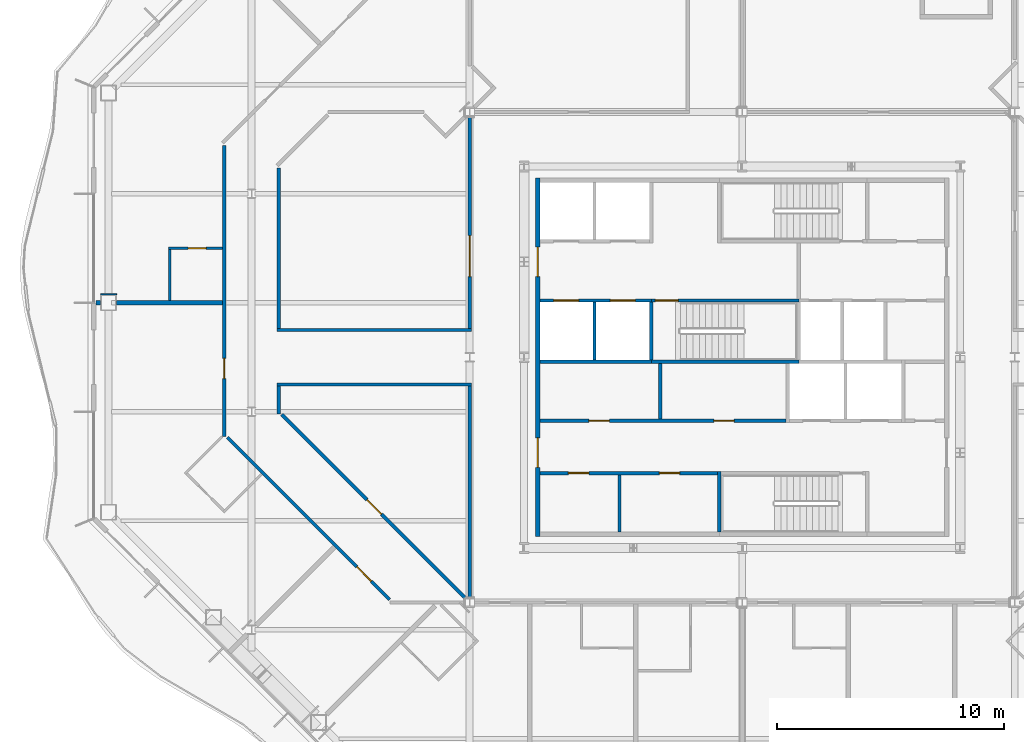
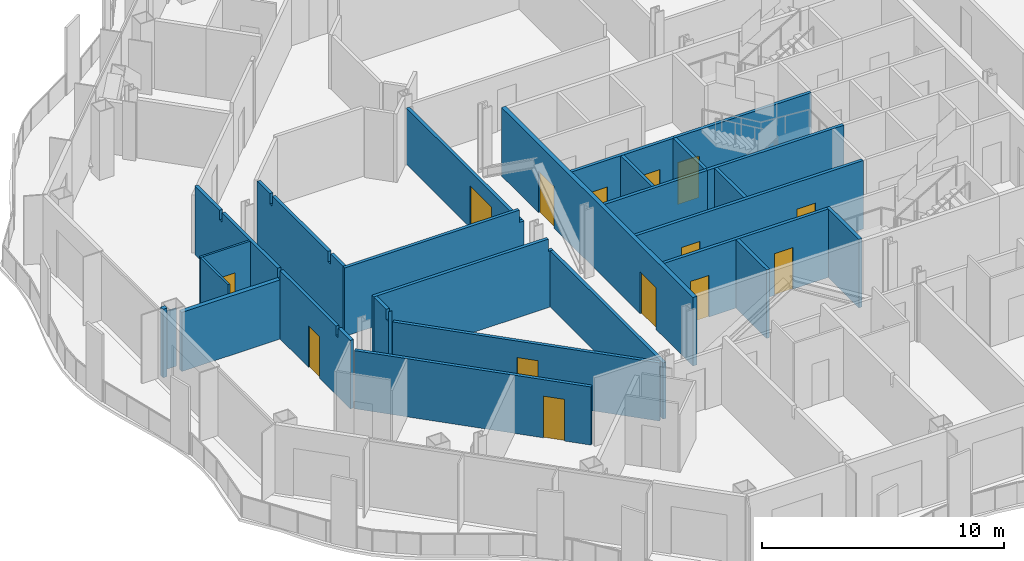
# One storey, part 8 of 21: 26 walls, 14 doors, 14 openings.
"""IFC4 building model written with IfcOpenShell, lengths in metres."""

from ifc_helpers import new_model, si_unit, direction, frame, frame_2d, origin, place, context, subcontext, project, spatial, polyline, rectangle, outline, extrude, material, layer, layer_set, type_object, element, fill, save


model = new_model("IFC4")

# Units and contexts
model_context = context("Model", 3, precision=1e-05, world=origin(), true_north=direction((0.0, 1.0)))
body_context = subcontext(model_context, "Body", "Model", "MODEL_VIEW")
ifc_project = project(units=[si_unit("LENGTHUNIT", "METRE"), si_unit("AREAUNIT", "SQUARE_METRE"), si_unit("VOLUMEUNIT", "CUBIC_METRE"), si_unit("PLANEANGLEUNIT", "RADIAN"), si_unit("MASSUNIT", "GRAM", prefix="KILO")], contexts=[model_context])

# Site, building, storey
site_placement = place(None, origin())
site = spatial("IfcSite", under=ifc_project, at=site_placement, CompositionType="ELEMENT")
building_placement = place(site_placement, origin())
building = spatial("IfcBuilding", under=site, at=building_placement, Name="Cairn Pilgrim Tower", CompositionType="ELEMENT")
storey_placement = place(building_placement, frame((0.0, 0.0, 136.199951171875)))
storey = spatial("IfcBuildingStorey", under=building, at=storey_placement, Name="L33", CompositionType="ELEMENT", Elevation=136.199951171875)

# Wall, openings, doors
ifc_material_1 = material(Name="Concrete C32/40", Category="concrete")
ifc_layer_1 = layer(ifc_material_1, 0.199951171875)
ifc_layer_set_1 = layer_set([ifc_layer_1], Name="CORE OUTER WALL 200 EI 120")
wall_type_1 = type_object("IfcWallType", Name="CORE OUTER WALL 200 EI 120", PredefinedType="SOLIDWALL", material=ifc_layer_set_1)
wall_1_placement = place(storey_placement, frame((-1.800048828125, -5.5, 0.0), z_axis=(0.0, 0.0, 1.0), x_axis=(0.0, 1.0, 0.0)))
wall_1 = element("IfcWall", 1, at=wall_1_placement, inside=storey, type_object=wall_type_1, Name="CW:L33:V13", PredefinedType="SOLIDWALL", context=body_context, shape_type="SweptSolid", body=[
    extrude(rectangle(XDim=15.800048828125, YDim=0.199951171875, at=frame_2d((7.89990234375, 0.0))), origin(), (0.0, 0.0, 1.0), 3.449951171875),
])
opening_1_placement = place(wall_1_placement, frame((3.050048828125, 0.0, 0.0)))
opening_1 = element("IfcOpeningElement", 2, at=opening_1_placement, cuts=wall_1, Name="Opening CD-W1", PredefinedType="OPENING", context=body_context, shape_type="SweptSolid", body=[
    extrude(rectangle(XDim=1.300048828125, YDim=2.10009765625, at=frame_2d((0.64990234375, 1.050048828125))), frame((0.0, 0.10986328125, 0.0), z_axis=(0.0, -1.0, 0.0), x_axis=(1.0, 0.0, 0.0)), (0.0, 0.0, 1.0), 0.219970703125),
])
opening_2_placement = place(wall_1_placement, frame((11.449951171875, 0.0, 0.0)))
opening_2 = element("IfcOpeningElement", 3, at=opening_2_placement, cuts=wall_1, Name="Opening CD-W2", PredefinedType="OPENING", context=body_context, shape_type="SweptSolid", body=[
    extrude(rectangle(XDim=1.300048828125, YDim=2.10009765625, at=frame_2d((0.64990234375, 1.050048828125))), frame((0.0, 0.10986328125, 0.0), z_axis=(0.0, -1.0, 0.0), x_axis=(1.0, 0.0, 0.0)), (0.0, 0.0, 1.0), 0.219970703125),
])
ifc_material_2 = material(Name="Painted steel", Category="steel")
door_type_1 = type_object("IfcDoorType", Name="CORE LOBBY DOOR 1300x2100", OperationType="DOUBLE_DOOR_SINGLE_SWING", PredefinedType="DOOR", material=ifc_material_2)
door_1_placement = place(opening_1_placement, origin())
door_1 = element("IfcDoor", 4, at=door_1_placement, inside=storey, type_object=door_type_1, Name="CD-W1", OperationType="DOUBLE_DOOR_SINGLE_SWING", OverallHeight=2.10009765625, OverallWidth=1.300048828125, PredefinedType="DOOR", context=body_context, shape_type="SweptSolid", body=[
    extrude(rectangle(XDim=1.300048828125, YDim=2.10009765625, at=frame_2d((0.64990234375, 1.050048828125))), frame((0.0, 0.02490234375, 0.0), z_axis=(0.0, -1.0, 0.0), x_axis=(1.0, 0.0, 0.0)), (0.0, 0.0, 1.0), 0.050048828125),
])
fill(opening_1, door_1)
door_2_placement = place(opening_2_placement, origin())
door_2 = element("IfcDoor", 5, at=door_2_placement, inside=storey, type_object=door_type_1, Name="CD-W2", OperationType="DOUBLE_DOOR_SINGLE_SWING", OverallHeight=2.10009765625, OverallWidth=1.300048828125, PredefinedType="DOOR", context=body_context, shape_type="SweptSolid", body=[
    extrude(rectangle(XDim=1.300048828125, YDim=2.10009765625, at=frame_2d((0.64990234375, 1.050048828125))), frame((0.0, 0.02490234375, 0.0), z_axis=(0.0, -1.0, 0.0), x_axis=(1.0, 0.0, 0.0)), (0.0, 0.0, 1.0), 0.050048828125),
])
fill(opening_2, door_2)

ifc_layer_2 = layer(ifc_material_1, 0.14990234375)
ifc_layer_set_2 = layer_set([ifc_layer_2], Name="CORE PARTITION 150 EI 60")
wall_type_2 = type_object("IfcWallType", Name="CORE PARTITION 150 EI 60", PredefinedType="PARTITIONING", material=ifc_layer_set_2)
wall_2_placement = place(storey_placement, frame((-1.699951171875, -2.699951171875, 0.0), z_axis=(0.0, 0.0, 1.0), x_axis=(1.0, 0.0, 0.0)))
wall_2 = element("IfcWall", 6, at=wall_2_placement, inside=storey, type_object=wall_type_2, Name="CW:L33:H02", PredefinedType="PARTITIONING", context=body_context, shape_type="SweptSolid", body=[
    extrude(rectangle(XDim=7.824951171875, YDim=0.14990234375, at=frame_2d((3.91259765625, 0.0))), origin(), (0.0, 0.0, 1.0), 3.449951171875),
])
opening_3_placement = place(wall_2_placement, frame((1.25, 0.0, 0.0)))
opening_3 = element("IfcOpeningElement", 7, at=opening_3_placement, cuts=wall_2, Name="Opening RD-R1W1", PredefinedType="OPENING", context=body_context, shape_type="SweptSolid", body=[
    extrude(rectangle(XDim=0.89990234375, YDim=2.10009765625, at=frame_2d((0.449951171875, 1.050048828125))), frame((0.0, 0.0849609375, 0.0), z_axis=(0.0, -1.0, 0.0), x_axis=(1.0, 0.0, 0.0)), (0.0, 0.0, 1.0), 0.169921875),
])
opening_4_placement = place(wall_2_placement, frame((5.25, 0.0, 0.0)))
opening_4 = element("IfcOpeningElement", 8, at=opening_4_placement, cuts=wall_2, Name="Opening RD-R1W2", PredefinedType="OPENING", context=body_context, shape_type="SweptSolid", body=[
    extrude(rectangle(XDim=0.89990234375, YDim=2.10009765625, at=frame_2d((0.449951171875, 1.050048828125))), frame((0.0, 0.0849609375, 0.0), z_axis=(0.0, -1.0, 0.0), x_axis=(1.0, 0.0, 0.0)), (0.0, 0.0, 1.0), 0.169921875),
])
door_type_2 = type_object("IfcDoorType", Name="SERVICE ROOM DOOR 900x2100", OperationType="SINGLE_SWING_LEFT", PredefinedType="DOOR", material=ifc_material_2)
door_3_placement = place(opening_3_placement, origin())
door_3 = element("IfcDoor", 9, at=door_3_placement, inside=storey, type_object=door_type_2, Name="RD-R1W1", OperationType="SINGLE_SWING_LEFT", OverallHeight=2.10009765625, OverallWidth=0.89990234375, PredefinedType="DOOR", context=body_context, shape_type="SweptSolid", body=[
    extrude(rectangle(XDim=0.89990234375, YDim=2.10009765625, at=frame_2d((0.449951171875, 1.050048828125))), frame((0.0, 0.02490234375, 0.0), z_axis=(0.0, -1.0, 0.0), x_axis=(1.0, 0.0, 0.0)), (0.0, 0.0, 1.0), 0.050048828125),
])
fill(opening_3, door_3)
door_4_placement = place(opening_4_placement, origin())
door_4 = element("IfcDoor", 10, at=door_4_placement, inside=storey, type_object=door_type_2, Name="RD-R1W2", OperationType="SINGLE_SWING_RIGHT", OverallHeight=2.10009765625, OverallWidth=0.89990234375, PredefinedType="DOOR", context=body_context, shape_type="SweptSolid", body=[
    extrude(rectangle(XDim=0.89990234375, YDim=2.10009765625, at=frame_2d((0.449951171875, 1.050048828125))), frame((0.0, 0.02490234375, 0.0), z_axis=(0.0, -1.0, 0.0), x_axis=(1.0, 0.0, 0.0)), (0.0, 0.0, 1.0), 0.050048828125),
])
fill(opening_4, door_4)

wall_3_placement = place(storey_placement, frame((-1.699951171875, -0.39990234375, 0.0), z_axis=(0.0, 0.0, 1.0), x_axis=(1.0, 0.0, 0.0)))
wall_3 = element("IfcWall", 11, at=wall_3_placement, inside=storey, type_object=wall_type_2, Name="CW:L33:H04", PredefinedType="PARTITIONING", context=body_context, shape_type="SweptSolid", body=[
    extrude(rectangle(XDim=10.824951171875, YDim=0.14990234375, at=frame_2d((5.41259765625, 0.0))), origin(), (0.0, 0.0, 1.0), 3.449951171875),
])
opening_5_placement = place(wall_3_placement, frame((2.14990234375, 0.0, 0.0)))
opening_5 = element("IfcOpeningElement", 12, at=opening_5_placement, cuts=wall_3, Name="Opening RD-R2W1", PredefinedType="OPENING", context=body_context, shape_type="SweptSolid", body=[
    extrude(rectangle(XDim=0.89990234375, YDim=2.10009765625, at=frame_2d((0.449951171875, 1.050048828125))), frame((0.0, 0.0849609375, 0.0), z_axis=(0.0, -1.0, 0.0), x_axis=(1.0, 0.0, 0.0)), (0.0, 0.0, 1.0), 0.169921875),
])
opening_6_placement = place(wall_3_placement, frame((7.64990234375, 0.0, 0.0)))
opening_6 = element("IfcOpeningElement", 13, at=opening_6_placement, cuts=wall_3, Name="Opening RD-R2W2", PredefinedType="OPENING", context=body_context, shape_type="SweptSolid", body=[
    extrude(rectangle(XDim=0.89990234375, YDim=2.10009765625, at=frame_2d((0.449951171875, 1.050048828125))), frame((0.0, 0.0849609375, 0.0), z_axis=(0.0, -1.0, 0.0), x_axis=(1.0, 0.0, 0.0)), (0.0, 0.0, 1.0), 0.169921875),
])
door_5_placement = place(opening_5_placement, origin())
door_5 = element("IfcDoor", 14, at=door_5_placement, inside=storey, type_object=door_type_2, Name="RD-R2W1", OperationType="SINGLE_SWING_LEFT", OverallHeight=2.10009765625, OverallWidth=0.89990234375, PredefinedType="DOOR", context=body_context, shape_type="SweptSolid", body=[
    extrude(rectangle(XDim=0.89990234375, YDim=2.10009765625, at=frame_2d((0.449951171875, 1.050048828125))), frame((0.0, 0.02490234375, 0.0), z_axis=(0.0, -1.0, 0.0), x_axis=(1.0, 0.0, 0.0)), (0.0, 0.0, 1.0), 0.050048828125),
])
fill(opening_5, door_5)
door_6_placement = place(opening_6_placement, origin())
door_6 = element("IfcDoor", 15, at=door_6_placement, inside=storey, type_object=door_type_2, Name="RD-R2W2", OperationType="SINGLE_SWING_RIGHT", OverallHeight=2.10009765625, OverallWidth=0.89990234375, PredefinedType="DOOR", context=body_context, shape_type="SweptSolid", body=[
    extrude(rectangle(XDim=0.89990234375, YDim=2.10009765625, at=frame_2d((0.449951171875, 1.050048828125))), frame((0.0, 0.02490234375, 0.0), z_axis=(0.0, -1.0, 0.0), x_axis=(1.0, 0.0, 0.0)), (0.0, 0.0, 1.0), 0.050048828125),
])
fill(opening_6, door_6)

# Walls
wall_4_placement = place(storey_placement, frame((1.800048828125, -5.300048828125, 0.0), z_axis=(0.0, 0.0, 1.0), x_axis=(0.0, 1.0, 0.0)))
element("IfcWall", 16, at=wall_4_placement, inside=storey, type_object=wall_type_2, Name="CW:L33:V16", PredefinedType="PARTITIONING", context=body_context, shape_type="SweptSolid", body=[
    extrude(rectangle(XDim=2.525146484375, YDim=0.14990234375, at=frame_2d((1.2626953125, 0.0))), origin(), (0.0, 0.0, 1.0), 3.449951171875),
])
wall_5_placement = place(storey_placement, frame((3.60009765625, -0.324951171875, 0.0), z_axis=(0.0, 0.0, 1.0), x_axis=(0.0, 1.0, 0.0)))
element("IfcWall", 17, at=wall_5_placement, inside=storey, type_object=wall_type_2, Name="CW:L33:V19", PredefinedType="PARTITIONING", context=body_context, shape_type="SweptSolid", body=[
    extrude(rectangle(XDim=2.449951171875, YDim=0.14990234375, at=frame_2d((1.22509765625, 0.0))), origin(), (0.0, 0.0, 1.0), 3.449951171875),
])
ifc_layer_3 = layer(ifc_material_1, 0.14990234375)
ifc_layer_set_3 = layer_set([ifc_layer_3], Name="CORE SHAFT WALL 150 EI 120")
wall_type_3 = type_object("IfcWallType", Name="CORE SHAFT WALL 150 EI 120", PredefinedType="SOLIDWALL", material=ifc_layer_set_3)
wall_6_placement = place(storey_placement, frame((-1.699951171875, 2.199951171875, 0.0), z_axis=(0.0, 0.0, 1.0), x_axis=(1.0, 0.0, 0.0)))
element("IfcWall", 18, at=wall_6_placement, inside=storey, type_object=wall_type_3, Name="CW:L33:H07-1", PredefinedType="SOLIDWALL", context=body_context, shape_type="SweptSolid", body=[
    extrude(rectangle(XDim=4.89990234375, YDim=0.14990234375, at=frame_2d((2.449951171875, 0.0))), origin(), (0.0, 0.0, 1.0), 3.449951171875),
])

# Wall, openings, doors
wall_7_placement = place(storey_placement, frame((-1.699951171875, 4.89990234375, 0.0), z_axis=(0.0, 0.0, 1.0), x_axis=(1.0, 0.0, 0.0)))
wall_7 = element("IfcWall", 19, at=wall_7_placement, inside=storey, type_object=wall_type_3, Name="CW:L33:H09-1", PredefinedType="SOLIDWALL", context=body_context, shape_type="SweptSolid", body=[
    extrude(rectangle(XDim=4.89990234375, YDim=0.14990234375, at=frame_2d((2.449951171875, 0.0))), origin(), (0.0, 0.0, 1.0), 3.449951171875),
])
opening_7_placement = place(wall_7_placement, frame((0.60009765625, 0.0, 0.0)))
opening_7 = element("IfcOpeningElement", 20, at=opening_7_placement, cuts=wall_7, Name="Opening LD-HR1", PredefinedType="OPENING", context=body_context, shape_type="SweptSolid", body=[
    extrude(rectangle(XDim=1.10009765625, YDim=2.10009765625, at=frame_2d((0.550048828125, 1.050048828125))), frame((0.0, 0.0849609375, 0.0), z_axis=(0.0, -1.0, 0.0), x_axis=(1.0, 0.0, 0.0)), (0.0, 0.0, 1.0), 0.169921875),
])
opening_8_placement = place(wall_7_placement, frame((3.10009765625, 0.0, 0.0)))
opening_8 = element("IfcOpeningElement", 21, at=opening_8_placement, cuts=wall_7, Name="Opening LD-HR2", PredefinedType="OPENING", context=body_context, shape_type="SweptSolid", body=[
    extrude(rectangle(XDim=1.10009765625, YDim=2.10009765625, at=frame_2d((0.550048828125, 1.050048828125))), frame((0.0, 0.0849609375, 0.0), z_axis=(0.0, -1.0, 0.0), x_axis=(1.0, 0.0, 0.0)), (0.0, 0.0, 1.0), 0.169921875),
])
ifc_material_3 = material(Name="Stainless steel", Category="steel")
door_type_3 = type_object("IfcDoorType", Name="LIFT LANDING DOOR 1100x2100", OperationType="DOUBLE_DOOR_SLIDING", PredefinedType="DOOR", material=ifc_material_3)
door_7_placement = place(opening_7_placement, origin())
door_7 = element("IfcDoor", 22, at=door_7_placement, inside=storey, type_object=door_type_3, Name="LANDING DOOR HR1", OperationType="DOUBLE_DOOR_SLIDING", OverallHeight=2.10009765625, OverallWidth=1.10009765625, PredefinedType="DOOR", context=body_context, shape_type="SweptSolid", body=[
    extrude(rectangle(XDim=1.10009765625, YDim=2.10009765625, at=frame_2d((0.550048828125, 1.050048828125))), frame((0.0, 0.02490234375, 0.0), z_axis=(0.0, -1.0, 0.0), x_axis=(1.0, 0.0, 0.0)), (0.0, 0.0, 1.0), 0.050048828125),
])
fill(opening_7, door_7)
door_8_placement = place(opening_8_placement, origin())
door_8 = element("IfcDoor", 23, at=door_8_placement, inside=storey, type_object=door_type_3, Name="LANDING DOOR HR2", OperationType="DOUBLE_DOOR_SLIDING", OverallHeight=2.10009765625, OverallWidth=1.10009765625, PredefinedType="DOOR", context=body_context, shape_type="SweptSolid", body=[
    extrude(rectangle(XDim=1.10009765625, YDim=2.10009765625, at=frame_2d((0.550048828125, 1.050048828125))), frame((0.0, 0.02490234375, 0.0), z_axis=(0.0, -1.0, 0.0), x_axis=(1.0, 0.0, 0.0)), (0.0, 0.0, 1.0), 0.050048828125),
])
fill(opening_8, door_8)

# Walls
wall_8_placement = place(storey_placement, frame((0.699951171875, 2.27490234375, 0.0), z_axis=(0.0, 0.0, 1.0), x_axis=(0.0, 1.0, 0.0)))
element("IfcWall", 24, at=wall_8_placement, inside=storey, type_object=wall_type_3, Name="CW:L33:V14", PredefinedType="SOLIDWALL", context=body_context, shape_type="SweptSolid", body=[
    extrude(rectangle(XDim=2.550048828125, YDim=0.14990234375, at=frame_2d((1.27490234375, 0.0))), origin(), (0.0, 0.0, 1.0), 3.449951171875),
])
ifc_material_4 = material(Name="Gypsum partition")
ifc_layer_4 = layer(ifc_material_4, 0.10009765625)
ifc_layer_set_4 = layer_set([ifc_layer_4], Name="PARTITION 100 DRYWALL")
wall_type_4 = type_object("IfcWallType", Name="PARTITION 100 DRYWALL", PredefinedType="PARTITIONING", material=ifc_layer_set_4)
wall_9_placement = place(storey_placement, frame((-18.0, 4.89990234375, 0.0), z_axis=(0.0, 0.0, 1.0), x_axis=(0.0, 1.0, 0.0)))
element("IfcWall", 25, at=wall_9_placement, inside=storey, type_object=wall_type_4, Name="PARTITION W062", PredefinedType="PARTITIONING", context=body_context, shape_type="SweptSolid", body=[
    extrude(rectangle(XDim=2.25, YDim=0.10009765625, at=frame_2d((1.125, 0.0))), origin(), (0.0, 0.0, 1.0), 3.449951171875),
])

# Wall, opening, door
wall_10_placement = place(storey_placement, frame((-18.050048828125, 7.199951171875, 0.0), z_axis=(0.0, 0.0, 1.0), x_axis=(1.0, 0.0, 0.0)))
wall_10 = element("IfcWall", 26, at=wall_10_placement, inside=storey, type_object=wall_type_4, Name="PARTITION W065", PredefinedType="PARTITIONING", context=body_context, shape_type="SweptSolid", body=[
    extrude(rectangle(XDim=2.375, YDim=0.10009765625, at=frame_2d((1.1875, 0.0))), origin(), (0.0, 0.0, 1.0), 3.449951171875),
])
opening_9_placement = place(wall_10_placement, frame((0.85009765625, 0.0, 0.0)))
opening_9 = element("IfcOpeningElement", 27, at=opening_9_placement, cuts=wall_10, Name="Opening 3317A", PredefinedType="OPENING", context=body_context, shape_type="SweptSolid", body=[
    extrude(rectangle(XDim=0.800048828125, YDim=2.10009765625, at=frame_2d((0.39990234375, 1.050048828125))), frame((0.0, 0.06005859375, 0.0), z_axis=(0.0, -1.0, 0.0), x_axis=(1.0, 0.0, 0.0)), (0.0, 0.0, 1.0), 0.1201171875),
])
ifc_material_5 = material(Name="Timber door leaf", Category="wood")
door_type_4 = type_object("IfcDoorType", Name="WC DOOR 800x2100", OperationType="NOTDEFINED", PredefinedType="DOOR", material=ifc_material_5)
door_9_placement = place(opening_9_placement, origin())
door_9 = element("IfcDoor", 28, at=door_9_placement, inside=storey, type_object=door_type_4, Name="DOOR 3317A", OperationType="SINGLE_SWING_RIGHT", OverallHeight=2.10009765625, OverallWidth=0.800048828125, PredefinedType="DOOR", context=body_context, shape_type="SweptSolid", body=[
    extrude(rectangle(XDim=0.800048828125, YDim=2.10009765625, at=frame_2d((0.39990234375, 1.050048828125))), frame((0.0, 0.02490234375, 0.0), z_axis=(0.0, -1.0, 0.0), x_axis=(1.0, 0.0, 0.0)), (0.0, 0.0, 1.0), 0.050048828125),
])
fill(opening_9, door_9)

ifc_layer_5 = layer(ifc_material_4, 0.14990234375)
ifc_layer_set_5 = layer_set([ifc_layer_5], Name="PARTITION 150 DRYWALL EI 60")
wall_type_5 = type_object("IfcWallType", Name="PARTITION 150 DRYWALL EI 60", PredefinedType="PARTITIONING", material=ifc_layer_set_5)
wall_11_placement = place(storey_placement, frame((-8.322021484375, -8.27197265625, 0.0), z_axis=(0.0, 0.0, 1.0), x_axis=(-0.707106781187, 0.707106781187, 0.0)))
wall_11 = element("IfcWall", 29, at=wall_11_placement, inside=storey, type_object=wall_type_5, Name="PARTITION W029", PredefinedType="PARTITIONING", context=body_context, shape_type="SweptSolid", body=[
    extrude(rectangle(XDim=10.111572265625, YDim=0.14990234375, at=frame_2d((5.0556640625, 0.0))), origin(), (0.0, 0.0, 1.0), 2.929931640625),
])
opening_10_placement = place(wall_11_placement, frame((1.138916015625, 0.0, 0.0)))
opening_10 = element("IfcOpeningElement", 30, at=opening_10_placement, cuts=wall_11, Name="Opening 3319", PredefinedType="OPENING", context=body_context, shape_type="SweptSolid", body=[
    extrude(rectangle(XDim=0.89990234375, YDim=2.10009765625, at=frame_2d((0.449951171875, 1.050048828125))), frame((0.0, 0.0849609375, 0.0), z_axis=(0.0, -1.0, 0.0), x_axis=(1.0, 0.0, 0.0)), (0.0, 0.0, 1.0), 0.169921875),
])
door_type_5 = type_object("IfcDoorType", Name="SERVICE DOOR 900x2100 FD30S", OperationType="NOTDEFINED", PredefinedType="DOOR", material=ifc_material_5)
door_10_placement = place(opening_10_placement, origin())
door_10 = element("IfcDoor", 31, at=door_10_placement, inside=storey, type_object=door_type_5, Name="DOOR 3319", OperationType="SINGLE_SWING_RIGHT", OverallHeight=2.10009765625, OverallWidth=0.89990234375, PredefinedType="DOOR", context=body_context, shape_type="SweptSolid", body=[
    extrude(rectangle(XDim=0.89990234375, YDim=2.10009765625, at=frame_2d((0.449951171875, 1.050048828125))), frame((0.0, 0.02490234375, 0.0), z_axis=(0.0, -1.0, 0.0), x_axis=(1.0, 0.0, 0.0)), (0.0, 0.0, 1.0), 0.050048828125),
])
fill(opening_10, door_10)

wall_12_placement = place(storey_placement, frame((-5.008544921875, -8.19140625, 0.0), z_axis=(0.0, 0.0, 1.0), x_axis=(-0.707106781187, 0.707106781187, 0.0)))
wall_12 = element("IfcWall", 32, at=wall_12_placement, inside=storey, type_object=wall_type_5, Name="PARTITION W031", PredefinedType="PARTITIONING", context=body_context, shape_type="SweptSolid", body=[
    extrude(rectangle(XDim=11.403564453125, YDim=0.14990234375, at=frame_2d((5.70166015625, 0.0))), origin(), (0.0, 0.0, 1.0), 2.929931640625),
])
opening_11_placement = place(wall_12_placement, frame((5.194580078125, 0.0, 0.0)))
opening_11 = element("IfcOpeningElement", 33, at=opening_11_placement, cuts=wall_12, Name="Opening 3330", PredefinedType="OPENING", context=body_context, shape_type="SweptSolid", body=[
    extrude(rectangle(XDim=0.89990234375, YDim=2.10009765625, at=frame_2d((0.449951171875, 1.050048828125))), frame((0.0, 0.0849609375, 0.0), z_axis=(0.0, -1.0, 0.0), x_axis=(1.0, 0.0, 0.0)), (0.0, 0.0, 1.0), 0.169921875),
])
door_11_placement = place(opening_11_placement, frame((0.89990234375, 0.0, 0.0), z_axis=(0.0, 0.0, 1.0), x_axis=(-1.0, 0.0, 0.0)))
door_11 = element("IfcDoor", 34, at=door_11_placement, inside=storey, type_object=door_type_5, Name="DOOR 3330", OperationType="SINGLE_SWING_RIGHT", OverallHeight=2.10009765625, OverallWidth=0.89990234375, PredefinedType="DOOR", context=body_context, shape_type="SweptSolid", body=[
    extrude(rectangle(XDim=0.89990234375, YDim=2.10009765625, at=frame_2d((0.449951171875, 1.050048828125))), frame((0.0, 0.02490234375, 0.0), z_axis=(0.0, -1.0, 0.0), x_axis=(1.0, 0.0, 0.0)), (0.0, 0.0, 1.0), 0.050048828125),
])
fill(opening_11, door_11)

# Wall
wall_13_placement = place(storey_placement, frame((-4.800048828125, -8.1875, 0.0), z_axis=(0.0, 0.0, 1.0), x_axis=(0.0, 1.0, 0.0)))
element("IfcWall", 35, at=wall_13_placement, inside=storey, type_object=wall_type_5, Name="PARTITION W032", PredefinedType="PARTITIONING", context=body_context, shape_type="SweptSolid", body=[
    extrude(rectangle(XDim=9.3125, YDim=0.14990234375, at=frame_2d((4.65625, 0.0))), origin(), (0.0, 0.0, 1.0), 2.830078125),
])

# Wall, opening, door
wall_14_placement = place(storey_placement, frame((-15.60009765625, -1.10009765625, 0.0), z_axis=(0.0, 0.0, 1.0), x_axis=(0.0, 1.0, 0.0)))
wall_14 = element("IfcWall", 36, at=wall_14_placement, inside=storey, type_object=wall_type_5, Name="PARTITION W041", PredefinedType="PARTITIONING", context=body_context, shape_type="SweptSolid", body=[
    extrude(outline(polyline([(0.0, 0.0), (12.833984375, 0.0), (12.833984375, 3.449951171875), (10.795166015625, 3.449951171875), (10.793212890625, 2.97998046875), (10.60498046875, 2.97998046875), (10.60302734375, 3.449951171875), (5.9951171875, 3.449951171875), (5.9931640625, 2.97998046875), (5.80517578125, 2.97998046875), (5.802978515625, 3.449951171875), (1.195068359375, 3.449951171875), (1.193115234375, 2.97998046875), (1.005126953125, 2.97998046875), (1.003173828125, 3.449951171875), (0.0, 3.449951171875), (0.0, 0.0)])), frame((0.0, 0.074951171875, 0.0), z_axis=(0.0, -1.0, 0.0), x_axis=(1.0, 0.0, 0.0)), (0.0, 0.0, 1.0), 0.14990234375),
])
opening_12_placement = place(wall_14_placement, frame((2.552978515625, 0.0, 0.0)))
opening_12 = element("IfcOpeningElement", 37, at=opening_12_placement, cuts=wall_14, Name="Opening 3318", PredefinedType="OPENING", context=body_context, shape_type="SweptSolid", body=[
    extrude(rectangle(XDim=0.89990234375, YDim=2.10009765625, at=frame_2d((0.449951171875, 1.050048828125))), frame((0.0, 0.0849609375, 0.0), z_axis=(0.0, -1.0, 0.0), x_axis=(1.0, 0.0, 0.0)), (0.0, 0.0, 1.0), 0.169921875),
])
door_type_6 = type_object("IfcDoorType", Name="ROOM DOOR 900x2100 FD30S", OperationType="NOTDEFINED", PredefinedType="DOOR", material=ifc_material_5)
door_12_placement = place(opening_12_placement, origin())
door_12 = element("IfcDoor", 38, at=door_12_placement, inside=storey, type_object=door_type_6, Name="DOOR 3318", OperationType="SINGLE_SWING_RIGHT", OverallHeight=2.10009765625, OverallWidth=0.89990234375, PredefinedType="DOOR", context=body_context, shape_type="SweptSolid", body=[
    extrude(rectangle(XDim=0.89990234375, YDim=2.10009765625, at=frame_2d((0.449951171875, 1.050048828125))), frame((0.0, 0.02490234375, 0.0), z_axis=(0.0, -1.0, 0.0), x_axis=(1.0, 0.0, 0.0)), (0.0, 0.0, 1.0), 0.050048828125),
])
fill(opening_12, door_12)

# Walls
wall_15_placement = place(storey_placement, frame((-13.199951171875, -0.106201171875, 0.0), z_axis=(0.0, 0.0, 1.0), x_axis=(0.0, 1.0, 0.0)))
element("IfcWall", 39, at=wall_15_placement, inside=storey, type_object=wall_type_5, Name="PARTITION W043", PredefinedType="PARTITIONING", context=body_context, shape_type="SweptSolid", body=[
    extrude(outline(polyline([(0.0, 0.0), (1.231201171875, 0.0), (1.231201171875, 3.449951171875), (0.2060546875, 3.449951171875), (0.2041015625, 2.929931640625), (0.006103515625, 2.929931640625), (0.004150390625, 3.449951171875), (0.0, 3.449951171875), (0.0, 0.0)])), frame((0.0, 0.074951171875, 0.0), z_axis=(0.0, -1.0, 0.0), x_axis=(1.0, 0.0, 0.0)), (0.0, 0.0, 1.0), 0.14990234375),
])
for number, where, z_axis, x_axis, name in (
    (40, (-13.27490234375, 1.199951171875, 0.0), (0.0, 0.0, 1.0), (1.0, 0.0, 0.0), "PARTITION W047"),
    (41, (-13.27490234375, 3.60009765625, 0.0), (0.0, 0.0, 1.0), (1.0, 0.0, 0.0), "PARTITION W051"),
):
    element("IfcWall", number, at=place(storey_placement, frame(where, z_axis=z_axis, x_axis=x_axis)), inside=storey, type_object=wall_type_5, Name=name, PredefinedType="PARTITIONING", context=body_context, shape_type="SweptSolid", body=[
        extrude(outline(polyline([(0.0, 0.0), (8.5498046875, 0.0), (8.550048828125, 2.830078125), (8.324951171875, 2.830078125), (8.322998046875, 3.449951171875), (0.0, 3.449951171875), (0.0, 0.0)])), frame((0.0, 0.074951171875, 0.0), z_axis=(0.0, -1.0, 0.0), x_axis=(1.0, 0.0, 0.0)), (0.0, 0.0, 1.0), 0.14990234375),
    ])
wall_16_placement = place(storey_placement, frame((-13.199951171875, 3.675048828125, 0.0), z_axis=(0.0, 0.0, 1.0), x_axis=(0.0, 1.0, 0.0)))
element("IfcWall", 42, at=wall_16_placement, inside=storey, type_object=wall_type_5, Name="PARTITION W053", PredefinedType="PARTITIONING", context=body_context, shape_type="SweptSolid", body=[
    extrude(outline(polyline([(0.0, 0.0), (7.06494140625, 0.0), (7.06494140625, 3.449951171875), (6.02490234375, 3.449951171875), (6.02294921875, 2.929931640625), (5.824951171875, 2.929931640625), (5.822998046875, 3.449951171875), (1.22509765625, 3.449951171875), (1.222900390625, 2.929931640625), (1.02490234375, 2.929931640625), (1.02294921875, 3.449951171875), (0.0, 3.449951171875), (0.0, 0.0)])), frame((0.0, 0.074951171875, 0.0), z_axis=(0.0, -1.0, 0.0), x_axis=(1.0, 0.0, 0.0)), (0.0, 0.0, 1.0), 0.14990234375),
])

# Wall, opening, door
wall_17_placement = place(storey_placement, frame((-4.800048828125, 3.675048828125, 0.0), z_axis=(0.0, 0.0, 1.0), x_axis=(0.0, 1.0, 0.0)))
wall_17 = element("IfcWall", 43, at=wall_17_placement, inside=storey, type_object=wall_type_5, Name="PARTITION W054", PredefinedType="PARTITIONING", context=body_context, shape_type="SweptSolid", body=[
    extrude(rectangle(XDim=9.3125, YDim=0.14990234375, at=frame_2d((4.65625, 0.0))), origin(), (0.0, 0.0, 1.0), 2.830078125),
])
opening_13_placement = place(wall_17_placement, frame((2.27490234375, 0.0, 0.0)))
opening_13 = element("IfcOpeningElement", 44, at=opening_13_placement, cuts=wall_17, Name="Opening 3329", PredefinedType="OPENING", context=body_context, shape_type="SweptSolid", body=[
    extrude(rectangle(XDim=1.800048828125, YDim=2.10009765625, at=frame_2d((0.89990234375, 1.050048828125))), frame((0.0, 0.0849609375, 0.0), z_axis=(0.0, -1.0, 0.0), x_axis=(1.0, 0.0, 0.0)), (0.0, 0.0, 1.0), 0.169921875),
])
door_type_7 = type_object("IfcDoorType", Name="DOOR PAIR 1800x2100 FD60S", OperationType="NOTDEFINED", PredefinedType="DOOR", material=ifc_material_5)
door_13_placement = place(opening_13_placement, origin())
door_13 = element("IfcDoor", 45, at=door_13_placement, inside=storey, type_object=door_type_7, Name="DOOR 3329", OperationType="DOUBLE_DOOR_SINGLE_SWING", OverallHeight=2.10009765625, OverallWidth=1.800048828125, PredefinedType="DOOR", context=body_context, shape_type="SweptSolid", body=[
    extrude(rectangle(XDim=1.800048828125, YDim=2.10009765625, at=frame_2d((0.89990234375, 1.050048828125))), frame((0.0, 0.02490234375, 0.0), z_axis=(0.0, -1.0, 0.0), x_axis=(1.0, 0.0, 0.0)), (0.0, 0.0, 1.0), 0.050048828125),
])
fill(opening_13, door_13)

# Walls
ifc_layer_6 = layer(ifc_material_4, 0.050048828125)
ifc_layer_set_6 = layer_set([ifc_layer_6], Name="PARTITION 50 DRYWALL EI 60")
wall_type_6 = type_object("IfcWallType", Name="PARTITION 50 DRYWALL EI 60", PredefinedType="PARTITIONING", material=ifc_layer_set_6)
wall_18_placement = place(storey_placement, frame((-21.050048828125, 5.175048828125, 0.0), z_axis=(0.0, 0.0, 1.0), x_axis=(1.0, 0.0, 0.0)))
element("IfcWall", 46, at=wall_18_placement, inside=storey, type_object=wall_type_6, Name="COLUMN CASING WC21", PredefinedType="PARTITIONING", context=body_context, shape_type="SweptSolid", body=[
    extrude(rectangle(XDim=0.699951171875, YDim=0.050048828125, at=frame_2d((0.35009765625, 0.0))), origin(), (0.0, 0.0, 1.0), 2.929931640625),
])
ifc_layer_7 = layer(ifc_material_4, 0.199951171875)
ifc_layer_set_7 = layer_set([ifc_layer_7], Name="SHAFT WALL 200 GYPSUM EI 60")
wall_type_7 = type_object("IfcWallType", Name="SHAFT WALL 200 GYPSUM EI 60", PredefinedType="PARTITIONING", material=ifc_layer_set_7)
wall_19_placement = place(storey_placement, frame((-21.25, 4.800048828125, 0.0), z_axis=(0.0, 0.0, 1.0), x_axis=(1.0, 0.0, 0.0)))
element("IfcWall", 47, at=wall_19_placement, inside=storey, type_object=wall_type_7, Name="PARTITION W058", PredefinedType="PARTITIONING", context=body_context, shape_type="SweptSolid", body=[
    extrude(rectangle(XDim=0.199951171875, YDim=0.199951171875, at=frame_2d((0.10009765625, 0.0))), origin(), (0.0, 0.0, 1.0), 3.449951171875),
])
wall_20_placement = place(storey_placement, frame((-20.35009765625, 4.800048828125, 0.0), z_axis=(0.0, 0.0, 1.0), x_axis=(1.0, 0.0, 0.0)))
element("IfcWall", 48, at=wall_20_placement, inside=storey, type_object=wall_type_7, Name="PARTITION W059", PredefinedType="PARTITIONING", context=body_context, shape_type="SweptSolid", body=[
    extrude(rectangle(XDim=4.675048828125, YDim=0.199951171875, at=frame_2d((2.33740234375, 0.0))), origin(), (0.0, 0.0, 1.0), 2.97998046875),
])
ifc_material_6 = material(Name="Concrete C35/45", Category="concrete")
ifc_layer_8 = layer(ifc_material_6, 0.14990234375)
ifc_layer_set_8 = layer_set([ifc_layer_8], Name="STAIR SHAFT WALL 150 EI 120")
wall_type_8 = type_object("IfcWallType", Name="STAIR SHAFT WALL 150 EI 120", PredefinedType="SOLIDWALL", material=ifc_layer_set_8)
wall_21_placement = place(storey_placement, frame((3.199951171875, 2.199951171875, 0.0), z_axis=(0.0, 0.0, 1.0), x_axis=(1.0, 0.0, 0.0)))
element("IfcWall", 49, at=wall_21_placement, inside=storey, type_object=wall_type_8, Name="CW:L33:H07-2", PredefinedType="SOLIDWALL", context=body_context, shape_type="SweptSolid", body=[
    extrude(rectangle(XDim=6.5, YDim=0.14990234375, at=frame_2d((3.25, 0.0))), origin(), (0.0, 0.0, 1.0), 3.449951171875),
])

# Wall, opening, door
wall_22_placement = place(storey_placement, frame((3.199951171875, 4.89990234375, 0.0), z_axis=(0.0, 0.0, 1.0), x_axis=(1.0, 0.0, 0.0)))
wall_22 = element("IfcWall", 50, at=wall_22_placement, inside=storey, type_object=wall_type_8, Name="CW:L33:H09-2", PredefinedType="SOLIDWALL", context=body_context, shape_type="SweptSolid", body=[
    extrude(rectangle(XDim=6.5, YDim=0.14990234375, at=frame_2d((3.25, 0.0))), origin(), (0.0, 0.0, 1.0), 3.449951171875),
])
opening_14_placement = place(wall_22_placement, frame((0.175048828125, 0.0, 0.0)))
opening_14 = element("IfcOpeningElement", 51, at=opening_14_placement, cuts=wall_22, Name="Opening SD-B", PredefinedType="OPENING", context=body_context, shape_type="SweptSolid", body=[
    extrude(rectangle(XDim=1.0, YDim=2.10009765625, at=frame_2d((0.5, 1.050048828125))), frame((0.0, 0.0849609375, 0.0), z_axis=(0.0, -1.0, 0.0), x_axis=(1.0, 0.0, 0.0)), (0.0, 0.0, 1.0), 0.169921875),
])
door_type_8 = type_object("IfcDoorType", Name="STAIR DOOR FD60S 1000x2100", OperationType="SINGLE_SWING_LEFT", PredefinedType="DOOR", material=ifc_material_2)
door_14_placement = place(opening_14_placement, origin())
door_14 = element("IfcDoor", 52, at=door_14_placement, inside=storey, type_object=door_type_8, Name="SD-B", OperationType="SINGLE_SWING_RIGHT", OverallHeight=2.10009765625, OverallWidth=1.0, PredefinedType="DOOR", context=body_context, shape_type="SweptSolid", body=[
    extrude(rectangle(XDim=1.0, YDim=2.10009765625, at=frame_2d((0.5, 1.050048828125))), frame((0.0, 0.02490234375, 0.0), z_axis=(0.0, -1.0, 0.0), x_axis=(1.0, 0.0, 0.0)), (0.0, 0.0, 1.0), 0.050048828125),
])
fill(opening_14, door_14)

# Walls
wall_23_placement = place(storey_placement, frame((3.199951171875, 2.27490234375, 0.0), z_axis=(0.0, 0.0, 1.0), x_axis=(0.0, 1.0, 0.0)))
element("IfcWall", 53, at=wall_23_placement, inside=storey, type_object=wall_type_8, Name="CW:L33:V17", PredefinedType="SOLIDWALL", context=body_context, shape_type="SweptSolid", body=[
    extrude(rectangle(XDim=2.550048828125, YDim=0.14990234375, at=frame_2d((1.27490234375, 0.0))), origin(), (0.0, 0.0, 1.0), 3.449951171875),
])
wall_24_placement = place(storey_placement, frame((6.199951171875, -5.300048828125, 0.0), z_axis=(0.0, 0.0, 1.0), x_axis=(0.0, 1.0, 0.0)))
element("IfcWall", 54, at=wall_24_placement, inside=storey, type_object=wall_type_8, Name="CW:L33:V20", PredefinedType="SOLIDWALL", context=body_context, shape_type="SweptSolid", body=[
    extrude(rectangle(XDim=2.675048828125, YDim=0.14990234375, at=frame_2d((1.33740234375, 0.0))), origin(), (0.0, 0.0, 1.0), 3.449951171875),
])

save(model, "model.ifc")
